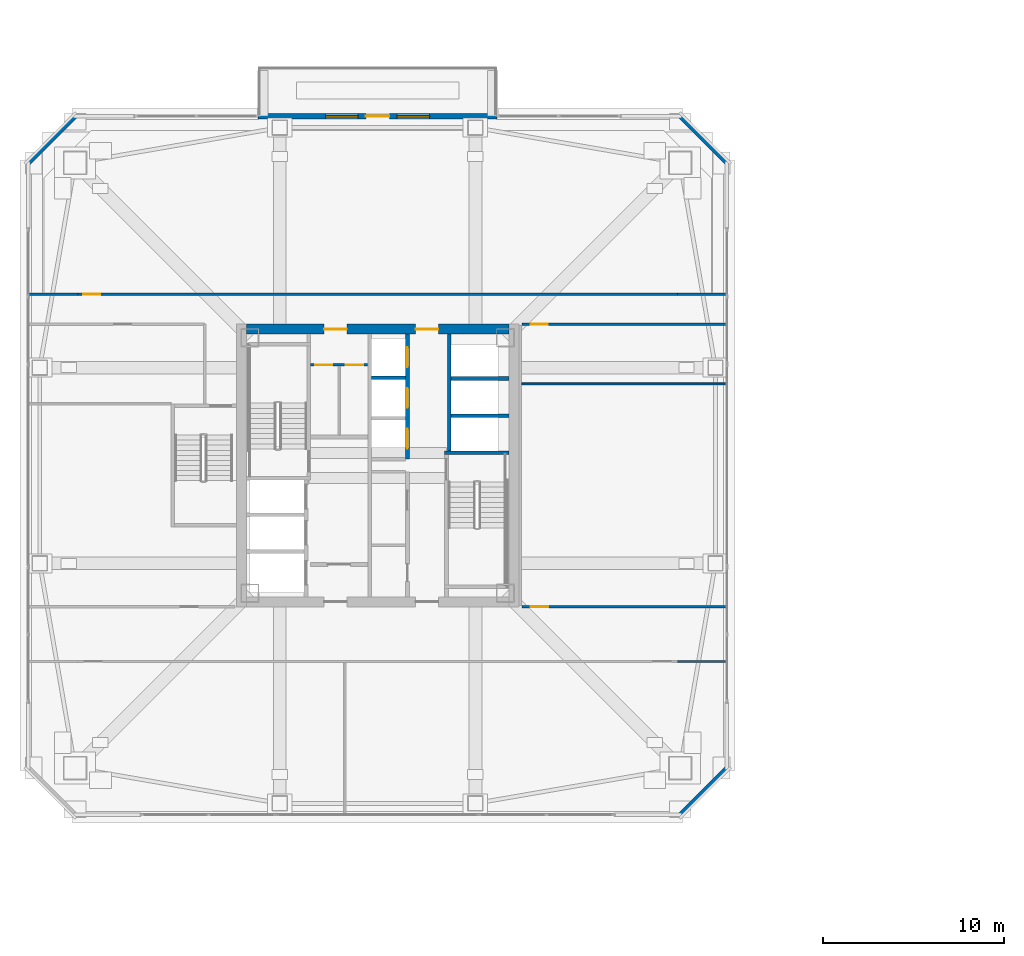
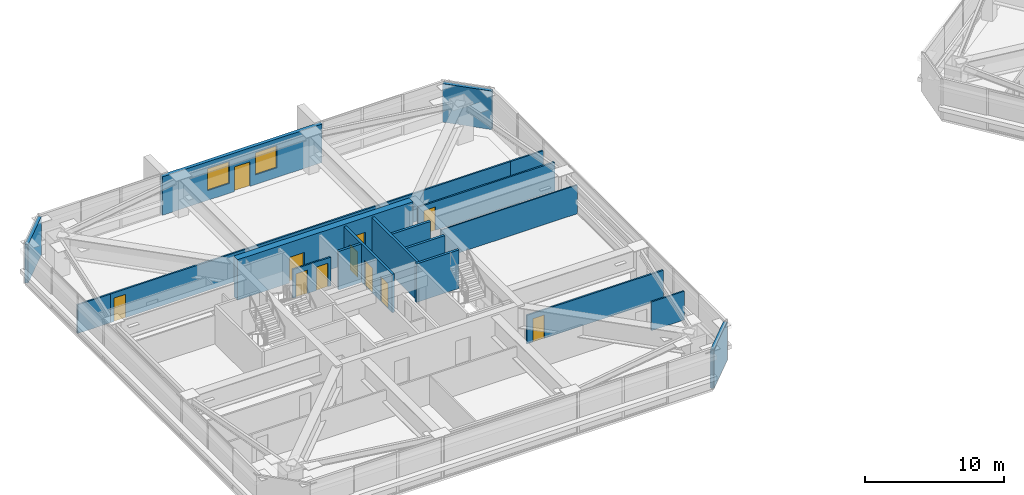
# One storey, part 33 of 42: 19 walls, 11 doors, 2 windows, 13 openings.
"""IFC4 building model written with IfcOpenShell, lengths in metres."""

from ifc_helpers import new_model, si_unit, direction, frame, frame_2d, origin, place, context, subcontext, project, spatial, rectangle, extrude, material, layer, layer_set, type_object, element, fill, save


model = new_model("IFC4")

# Units and contexts
model_context = context("Model", 3, precision=1e-05, world=origin(), true_north=direction((0.0, 1.0)))
body_context = subcontext(model_context, "Body", "Model", "MODEL_VIEW")
ifc_project = project(units=[si_unit("LENGTHUNIT", "METRE"), si_unit("AREAUNIT", "SQUARE_METRE"), si_unit("VOLUMEUNIT", "CUBIC_METRE"), si_unit("PLANEANGLEUNIT", "RADIAN"), si_unit("MASSUNIT", "GRAM", prefix="KILO")], contexts=[model_context])

# Site, building, storey
site_placement = place(None, origin())
site = spatial("IfcSite", under=ifc_project, at=site_placement, CompositionType="ELEMENT")
building_placement = place(site_placement, origin())
building = spatial("IfcBuilding", under=site, at=building_placement, Name="Tashvorn Skyway Center", CompositionType="ELEMENT")
storey_placement = place(building_placement, frame((0.0, 0.0, 153.449951171875)))
storey = spatial("IfcBuildingStorey", under=building, at=storey_placement, Name="L41", CompositionType="ELEMENT", Elevation=153.449951171875)

# Wall, openings, doors
ifc_material_1 = material(Name="Concrete C60/75", Category="concrete")
ifc_layer_1 = layer(ifc_material_1, 0.550048828125)
ifc_layer_set_1 = layer_set([ifc_layer_1], Name="Concrete C60/75")
wall_type_1 = type_object("IfcWallType", Name="WALL-CORE-550", PredefinedType="SHEAR", material=ifc_layer_set_1)
wall_1_placement = place(storey_placement, frame((34.75, 39.52490234375, 0.0), z_axis=(0.0, 0.0, 1.0), x_axis=(1.0, 0.0, 0.0)))
wall_1 = element("IfcWall", 1, at=wall_1_placement, inside=storey, type_object=wall_type_1, Name="Tower 1 L41 North Core Shear Wall", PredefinedType="SHEAR", context=body_context, shape_type="SweptSolid", body=[
    extrude(rectangle(XDim=14.5, YDim=0.550048828125, at=frame_2d((7.25, 0.0))), origin(), (0.0, 0.0, 1.0), 3.550048828125),
])
opening_1_placement = place(wall_1_placement, frame((4.300048828125, 0.0, 0.0)))
opening_1 = element("IfcOpeningElement", 2, at=opening_1_placement, cuts=wall_1, Name="Opening D-FFL-1250", PredefinedType="OPENING", context=body_context, shape_type="SweptSolid", body=[
    extrude(rectangle(XDim=1.25, YDim=2.25, at=frame_2d((0.625, 1.125))), frame((0.0, 0.284912109375, 0.0), z_axis=(0.0, -1.0, 0.0), x_axis=(1.0, 0.0, 0.0)), (0.0, 0.0, 1.0), 0.570068359375),
])
opening_2_placement = place(wall_1_placement, frame((9.35009765625, 0.0, 0.0)))
opening_2 = element("IfcOpeningElement", 3, at=opening_2_placement, cuts=wall_1, Name="Opening D-FFL-1250", PredefinedType="OPENING", context=body_context, shape_type="SweptSolid", body=[
    extrude(rectangle(XDim=1.25, YDim=2.25, at=frame_2d((0.625, 1.125))), frame((0.0, 0.284912109375, 0.0), z_axis=(0.0, -1.0, 0.0), x_axis=(1.0, 0.0, 0.0)), (0.0, 0.0, 1.0), 0.570068359375),
])
ifc_material_2 = material(Name="Hollow galvanized steel fire door assembly", Category="steel")
door_type_1 = type_object("IfcDoorType", Name="DOOR-FFL-1250", OperationType="NOTDEFINED", PredefinedType="DOOR", material=ifc_material_2)
door_1_placement = place(opening_1_placement, origin())
door_1 = element("IfcDoor", 4, at=door_1_placement, inside=storey, type_object=door_type_1, Name="Tower 1 L41 Core North Service Lobby Door", OperationType="SINGLE_SWING_LEFT", OverallHeight=2.25, OverallWidth=1.25, PredefinedType="DOOR", context=body_context, shape_type="SweptSolid", body=[
    extrude(rectangle(XDim=1.25, YDim=2.25, at=frame_2d((0.625, 1.125))), frame((0.0, 0.02490234375, 0.0), z_axis=(0.0, -1.0, 0.0), x_axis=(1.0, 0.0, 0.0)), (0.0, 0.0, 1.0), 0.050048828125),
])
fill(opening_1, door_1)
door_2_placement = place(opening_2_placement, origin())
door_2 = element("IfcDoor", 5, at=door_2_placement, inside=storey, type_object=door_type_1, Name="Tower 1 L41 Core North Lift Lobby Door", OperationType="SINGLE_SWING_RIGHT", OverallHeight=2.25, OverallWidth=1.25, PredefinedType="DOOR", context=body_context, shape_type="SweptSolid", body=[
    extrude(rectangle(XDim=1.25, YDim=2.25, at=frame_2d((0.625, 1.125))), frame((0.0, 0.02490234375, 0.0), z_axis=(0.0, -1.0, 0.0), x_axis=(1.0, 0.0, 0.0)), (0.0, 0.0, 1.0), 0.050048828125),
])
fill(opening_2, door_2)

# Wall, openings, door, windows
ifc_material_3 = material(Name="Precast concrete C40/50", Category="concrete")
ifc_layer_2 = layer(ifc_material_3, 0.280029296875)
ifc_layer_set_2 = layer_set([ifc_layer_2], Name="Precast concrete C40/50")
wall_type_2 = type_object("IfcWallType", Name="WALL-EXT-280", PredefinedType="SOLIDWALL", material=ifc_layer_set_2)
wall_2_placement = place(storey_placement, frame((35.39990234375, 51.280029296875, 0.0), z_axis=(0.0, 0.0, 1.0), x_axis=(1.0, 0.0, 0.0)))
wall_2 = element("IfcWall", 6, at=wall_2_placement, inside=storey, type_object=wall_type_2, Name="Tower 1 L41 North Sky Garden Loggia Wall", PredefinedType="SOLIDWALL", context=body_context, shape_type="SweptSolid", body=[
    extrude(rectangle(XDim=13.2001953125, YDim=0.280029296875, at=frame_2d((6.60009765625, 0.0))), origin(), (0.0, 0.0, 1.0), 3.3701171875),
])
opening_3_placement = place(wall_2_placement, frame((5.949951171875, 0.0, 0.0)))
opening_3 = element("IfcOpeningElement", 7, at=opening_3_placement, cuts=wall_2, Name="Opening D-TER-1300", PredefinedType="OPENING", context=body_context, shape_type="SweptSolid", body=[
    extrude(rectangle(XDim=1.300048828125, YDim=2.14990234375, at=frame_2d((0.64990234375, 1.074951171875))), frame((0.0, 0.14990234375, 0.0), z_axis=(0.0, -1.0, 0.0), x_axis=(1.0, 0.0, 0.0)), (0.0, 0.0, 1.0), 0.300048828125),
])
opening_4_placement = place(wall_2_placement, frame((3.73193359375, 0.0, 0.85009765625)))
opening_4 = element("IfcOpeningElement", 8, at=opening_4_placement, cuts=wall_2, Name="Opening WIN-1800", PredefinedType="OPENING", context=body_context, shape_type="SweptSolid", body=[
    extrude(rectangle(XDim=1.800048828125, YDim=1.919921875, at=frame_2d((0.89990234375, 0.9599609375))), frame((0.0, 0.14990234375, 0.0), z_axis=(0.0, -1.0, 0.0), x_axis=(1.0, 0.0, 0.0)), (0.0, 0.0, 1.0), 0.300048828125),
])
opening_5_placement = place(wall_2_placement, frame((7.66796875, 0.0, 0.85009765625)))
opening_5 = element("IfcOpeningElement", 9, at=opening_5_placement, cuts=wall_2, Name="Opening WIN-1800", PredefinedType="OPENING", context=body_context, shape_type="SweptSolid", body=[
    extrude(rectangle(XDim=1.800048828125, YDim=1.919921875, at=frame_2d((0.89990234375, 0.9599609375))), frame((0.0, 0.14990234375, 0.0), z_axis=(0.0, -1.0, 0.0), x_axis=(1.0, 0.0, 0.0)), (0.0, 0.0, 1.0), 0.300048828125),
])
ifc_material_4 = material(Name="Thermally broken bronze-anodized aluminium 6063-T6", Category="aluminium")
door_type_2 = type_object("IfcDoorType", Name="DOOR-TERR-1300", OperationType="NOTDEFINED", PredefinedType="DOOR", material=ifc_material_4)
door_3_placement = place(opening_3_placement, origin())
door_3 = element("IfcDoor", 10, at=door_3_placement, inside=storey, type_object=door_type_2, Name="Tower 1 L41 Sky Garden Access Door", OperationType="SINGLE_SWING_LEFT", OverallHeight=2.14990234375, OverallWidth=1.300048828125, PredefinedType="DOOR", context=body_context, shape_type="SweptSolid", body=[
    extrude(rectangle(XDim=1.300048828125, YDim=2.14990234375, at=frame_2d((0.64990234375, 1.074951171875))), frame((0.0, 0.02490234375, 0.0), z_axis=(0.0, -1.0, 0.0), x_axis=(1.0, 0.0, 0.0)), (0.0, 0.0, 1.0), 0.050048828125),
])
fill(opening_3, door_3)
ifc_material_5 = material(Name="Low-E solar-control double insulating safety glass", Category="glass")
window_type = type_object("IfcWindowType", Name="WIN-TERR-1800", PartitioningType="SINGLE_PANEL", PredefinedType="WINDOW", material=ifc_material_5)
window_1_placement = place(opening_4_placement, origin())
window_1 = element("IfcWindow", 11, at=window_1_placement, inside=storey, type_object=window_type, Name="Tower 1 L41 Sky Garden Window", OverallHeight=1.919921875, OverallWidth=1.800048828125, PartitioningType="SINGLE_PANEL", PredefinedType="WINDOW", context=body_context, shape_type="SweptSolid", body=[
    extrude(rectangle(XDim=1.800048828125, YDim=1.919921875, at=frame_2d((0.89990234375, 0.9599609375))), frame((0.0, 0.030029296875, 0.0), z_axis=(0.0, -1.0, 0.0), x_axis=(1.0, 0.0, 0.0)), (0.0, 0.0, 1.0), 0.06005859375),
])
fill(opening_4, window_1)
window_2_placement = place(opening_5_placement, origin())
window_2 = element("IfcWindow", 12, at=window_2_placement, inside=storey, type_object=window_type, Name="Tower 1 L41 Sky Garden Second Window", OverallHeight=1.919921875, OverallWidth=1.800048828125, PartitioningType="SINGLE_PANEL", PredefinedType="WINDOW", context=body_context, shape_type="SweptSolid", body=[
    extrude(rectangle(XDim=1.800048828125, YDim=1.919921875, at=frame_2d((0.89990234375, 0.9599609375))), frame((0.0, 0.030029296875, 0.0), z_axis=(0.0, -1.0, 0.0), x_axis=(1.0, 0.0, 0.0)), (0.0, 0.0, 1.0), 0.06005859375),
])
fill(opening_5, window_2)

# Walls
for number, where, z_axis, x_axis, name in (
    (13, (22.699951171875, 48.699951171875, 0.0), (0.0, 0.0, 1.0), (0.707106781187, 0.707106781187, 0.0), "Tower 1 L41 NW Precast Chamfer Wall"),
    (14, (58.699951171875, 51.300048828125, 0.0), (0.0, 0.0, 1.0), (0.707106781187, -0.707106781187, 0.0), "Tower 1 L41 NE Precast Chamfer Wall"),
    (15, (61.300048828125, 15.300048828125, 0.0), (0.0, 0.0, 1.0), (-0.707106781187, -0.707106781187, 0.0), "Tower 1 L41 SE Precast Chamfer Wall"),
):
    element("IfcWall", number, at=place(storey_placement, frame(where, z_axis=z_axis, x_axis=x_axis)), inside=storey, type_object=wall_type_2, Name=name, PredefinedType="SOLIDWALL", context=body_context, shape_type="SweptSolid", body=[
        extrude(rectangle(XDim=3.677001953125, YDim=0.280029296875, at=frame_2d((1.83837890625, 0.0))), origin(), (0.0, 0.0, 1.0), 3.3701171875),
    ])
ifc_material_6 = material(Name="Gypsum board on cold-formed steel stud framing", Category="steel")
ifc_layer_3 = layer(ifc_material_6, 0.110107421875)
ifc_layer_set_3 = layer_set([ifc_layer_3], Name="Gypsum board on cold-formed steel stud framing")
wall_type_3 = type_object("IfcWallType", Name="WALL-PART-110", PredefinedType="PARTITIONING", material=ifc_layer_set_3)
wall_3_placement = place(storey_placement, frame((49.9599609375, 36.5, 0.0), z_axis=(0.0, 0.0, 1.0), x_axis=(1.0, 0.0, 0.0)))
element("IfcWall", 16, at=wall_3_placement, inside=storey, type_object=wall_type_3, Name="Tower 1 L41 East Mid Partition", PredefinedType="PARTITIONING", context=body_context, shape_type="SweptSolid", body=[
    extrude(rectangle(XDim=11.320068359375, YDim=0.110107421875, at=frame_2d((5.66015625, 0.0))), origin(), (0.0, 0.0, 1.0), 2.512939453125),
])

# Wall, opening, door
ifc_layer_4 = layer(ifc_material_6, 0.135009765625)
ifc_layer_set_4 = layer_set([ifc_layer_4], Name="Gypsum board on cold-formed steel stud framing")
wall_type_4 = type_object("IfcWallType", Name="WALL-PART-135", PredefinedType="PARTITIONING", material=ifc_layer_set_4)
wall_4_placement = place(storey_placement, frame((25.449951171875, 41.449951171875, 0.0), z_axis=(0.0, 0.0, 1.0), x_axis=(1.0, 0.0, 0.0)))
wall_4 = element("IfcWall", 17, at=wall_4_placement, inside=storey, type_object=wall_type_4, Name="Tower 1 L41 North Suite Wall", PredefinedType="PARTITIONING", context=body_context, shape_type="SweptSolid", body=[
    extrude(rectangle(XDim=33.10009765625, YDim=0.135009765625, at=frame_2d((16.550048828125, 0.0))), origin(), (0.0, 0.0, 1.0), 2.512939453125),
])
opening_6_placement = place(wall_4_placement, frame((0.300048828125, 0.0, 0.0)))
opening_6 = element("IfcOpeningElement", 18, at=opening_6_placement, cuts=wall_4, Name="Opening D-INT-950", PredefinedType="OPENING", context=body_context, shape_type="SweptSolid", body=[
    extrude(rectangle(XDim=0.949951171875, YDim=2.050048828125, at=frame_2d((0.47509765625, 1.02490234375))), frame((0.0, 0.077392578125, 0.0), z_axis=(0.0, -1.0, 0.0), x_axis=(1.0, 0.0, 0.0)), (0.0, 0.0, 1.0), 0.155029296875),
])
ifc_material_7 = material(Name="Solid-core architectural oak veneer door")
door_type_3 = type_object("IfcDoorType", Name="DOOR-INT-950", OperationType="NOTDEFINED", PredefinedType="DOOR", material=ifc_material_7)
door_4_placement = place(opening_6_placement, origin())
door_4 = element("IfcDoor", 19, at=door_4_placement, inside=storey, type_object=door_type_3, Name="Tower 1 L41 Executive Suite Door", OperationType="SINGLE_SWING_RIGHT", OverallHeight=2.050048828125, OverallWidth=0.949951171875, PredefinedType="DOOR", context=body_context, shape_type="SweptSolid", body=[
    extrude(rectangle(XDim=0.949951171875, YDim=2.050048828125, at=frame_2d((0.47509765625, 1.02490234375))), frame((0.0, 0.02490234375, 0.0), z_axis=(0.0, -1.0, 0.0), x_axis=(1.0, 0.0, 0.0)), (0.0, 0.0, 1.0), 0.050048828125),
])
fill(opening_6, door_4)

# Walls
for number, where, z_axis, x_axis, name in (
    (20, (22.719970703125, 41.449951171875, 0.0), (0.0, 0.0, 1.0), (1.0, 0.0, 0.0), "Tower 1 L41 North-West Suite South Wall"),
    (21, (58.550048828125, 41.449951171875, 0.0), (0.0, 0.0, 1.0), (1.0, 0.0, 0.0), "Tower 1 L41 North-East Suite South Wall"),
    (22, (58.550048828125, 21.179931640625, 0.0), (0.0, 0.0, 1.0), (1.0, 0.0, 0.0), "Tower 1 L41 South-East Suite North Wall"),
):
    element("IfcWall", number, at=place(storey_placement, frame(where, z_axis=z_axis, x_axis=x_axis)), inside=storey, type_object=wall_type_4, Name=name, PredefinedType="PARTITIONING", context=body_context, shape_type="SweptSolid", body=[
        extrude(rectangle(XDim=2.72998046875, YDim=0.135009765625, at=frame_2d((1.364990234375, 0.0))), origin(), (0.0, 0.0, 1.0), 2.512939453125),
    ])

# Wall, opening, door
wall_5_placement = place(storey_placement, frame((61.280029296875, 39.800048828125, 0.0), z_axis=(0.0, 0.0, 1.0), x_axis=(-1.0, 0.0, 0.0)))
wall_5 = element("IfcWall", 23, at=wall_5_placement, inside=storey, type_object=wall_type_4, Name="Tower 1 L41 East Suite North Wall", PredefinedType="PARTITIONING", context=body_context, shape_type="SweptSolid", body=[
    extrude(rectangle(XDim=11.320068359375, YDim=0.135009765625, at=frame_2d((5.66015625, 0.0))), origin(), (0.0, 0.0, 1.0), 2.512939453125),
])
opening_7_placement = place(wall_5_placement, frame((9.8798828125, 0.0, 0.0)))
opening_7 = element("IfcOpeningElement", 24, at=opening_7_placement, cuts=wall_5, Name="Opening D-INT-950", PredefinedType="OPENING", context=body_context, shape_type="SweptSolid", body=[
    extrude(rectangle(XDim=0.949951171875, YDim=2.050048828125, at=frame_2d((0.47509765625, 1.02490234375))), frame((0.0, 0.077392578125, 0.0), z_axis=(0.0, -1.0, 0.0), x_axis=(1.0, 0.0, 0.0)), (0.0, 0.0, 1.0), 0.155029296875),
])
door_5_placement = place(opening_7_placement, origin())
door_5 = element("IfcDoor", 25, at=door_5_placement, inside=storey, type_object=door_type_3, Name="Tower 1 L41 Executive Suite Door", OperationType="SINGLE_SWING_LEFT", OverallHeight=2.050048828125, OverallWidth=0.949951171875, PredefinedType="DOOR", context=body_context, shape_type="SweptSolid", body=[
    extrude(rectangle(XDim=0.949951171875, YDim=2.050048828125, at=frame_2d((0.47509765625, 1.02490234375))), frame((0.0, 0.02490234375, 0.0), z_axis=(0.0, -1.0, 0.0), x_axis=(1.0, 0.0, 0.0)), (0.0, 0.0, 1.0), 0.050048828125),
])
fill(opening_7, door_5)

wall_6_placement = place(storey_placement, frame((49.9599609375, 24.199951171875, 0.0), z_axis=(0.0, 0.0, 1.0), x_axis=(1.0, 0.0, 0.0)))
wall_6 = element("IfcWall", 26, at=wall_6_placement, inside=storey, type_object=wall_type_4, Name="Tower 1 L41 East Suite South Wall", PredefinedType="PARTITIONING", context=body_context, shape_type="SweptSolid", body=[
    extrude(rectangle(XDim=11.320068359375, YDim=0.135009765625, at=frame_2d((5.66015625, 0.0))), origin(), (0.0, 0.0, 1.0), 2.512939453125),
])
opening_8_placement = place(wall_6_placement, frame((0.5, 0.0, 0.0)))
opening_8 = element("IfcOpeningElement", 27, at=opening_8_placement, cuts=wall_6, Name="Opening D-INT-950", PredefinedType="OPENING", context=body_context, shape_type="SweptSolid", body=[
    extrude(rectangle(XDim=0.949951171875, YDim=2.050048828125, at=frame_2d((0.47509765625, 1.02490234375))), frame((0.0, 0.077392578125, 0.0), z_axis=(0.0, -1.0, 0.0), x_axis=(1.0, 0.0, 0.0)), (0.0, 0.0, 1.0), 0.155029296875),
])
door_6_placement = place(opening_8_placement, origin())
door_6 = element("IfcDoor", 28, at=door_6_placement, inside=storey, type_object=door_type_3, Name="Tower 1 L41 Public Restroom Door", OperationType="SINGLE_SWING_RIGHT", OverallHeight=2.050048828125, OverallWidth=0.949951171875, PredefinedType="DOOR", context=body_context, shape_type="SweptSolid", body=[
    extrude(rectangle(XDim=0.949951171875, YDim=2.050048828125, at=frame_2d((0.47509765625, 1.02490234375))), frame((0.0, 0.02490234375, 0.0), z_axis=(0.0, -1.0, 0.0), x_axis=(1.0, 0.0, 0.0)), (0.0, 0.0, 1.0), 0.050048828125),
])
fill(opening_8, door_6)

# Wall, openings, doors
ifc_layer_5 = layer(ifc_material_6, 0.135009765625)
ifc_layer_set_5 = layer_set([ifc_layer_5], Name="Gypsum board on cold-formed steel stud framing")
wall_type_5 = type_object("IfcWallType", Name="WALL-RATED-135", PredefinedType="PARTITIONING", material=ifc_layer_set_5)
wall_7_placement = place(storey_placement, frame((38.300048828125, 37.550048828125, 0.0), z_axis=(0.0, 0.0, 1.0), x_axis=(1.0, 0.0, 0.0)))
wall_7 = element("IfcWall", 29, at=wall_7_placement, inside=storey, type_object=wall_type_5, Name="Tower 1 L41 Core Service Lobby Wall", PredefinedType="PARTITIONING", context=body_context, shape_type="SweptSolid", body=[
    extrude(rectangle(XDim=3.14990234375, YDim=0.135009765625, at=frame_2d((1.574951171875, 0.0))), origin(), (0.0, 0.0, 1.0), 2.512939453125),
])
opening_9_placement = place(wall_7_placement, frame((0.25, 0.0, 0.0)))
opening_9 = element("IfcOpeningElement", 30, at=opening_9_placement, cuts=wall_7, Name="Opening D-RT-950", PredefinedType="OPENING", context=body_context, shape_type="SweptSolid", body=[
    extrude(rectangle(XDim=0.949951171875, YDim=2.050048828125, at=frame_2d((0.47509765625, 1.02490234375))), frame((0.0, 0.077392578125, 0.0), z_axis=(0.0, -1.0, 0.0), x_axis=(1.0, 0.0, 0.0)), (0.0, 0.0, 1.0), 0.155029296875),
])
opening_10_placement = place(wall_7_placement, frame((1.949951171875, 0.0, 0.0)))
opening_10 = element("IfcOpeningElement", 31, at=opening_10_placement, cuts=wall_7, Name="Opening D-RT-950", PredefinedType="OPENING", context=body_context, shape_type="SweptSolid", body=[
    extrude(rectangle(XDim=0.949951171875, YDim=2.050048828125, at=frame_2d((0.47509765625, 1.02490234375))), frame((0.0, 0.077392578125, 0.0), z_axis=(0.0, -1.0, 0.0), x_axis=(1.0, 0.0, 0.0)), (0.0, 0.0, 1.0), 0.155029296875),
])
door_type_4 = type_object("IfcDoorType", Name="DOOR-RATED-950", OperationType="NOTDEFINED", PredefinedType="DOOR", material=ifc_material_2)
door_7_placement = place(opening_9_placement, origin())
door_7 = element("IfcDoor", 32, at=door_7_placement, inside=storey, type_object=door_type_4, Name="Tower 1 L41 Core Accessible WC Door", OperationType="SINGLE_SWING_LEFT", OverallHeight=2.050048828125, OverallWidth=0.949951171875, PredefinedType="DOOR", context=body_context, shape_type="SweptSolid", body=[
    extrude(rectangle(XDim=0.949951171875, YDim=2.050048828125, at=frame_2d((0.47509765625, 1.02490234375))), frame((0.0, 0.02490234375, 0.0), z_axis=(0.0, -1.0, 0.0), x_axis=(1.0, 0.0, 0.0)), (0.0, 0.0, 1.0), 0.050048828125),
])
fill(opening_9, door_7)
door_8_placement = place(opening_10_placement, origin())
door_8 = element("IfcDoor", 33, at=door_8_placement, inside=storey, type_object=door_type_4, Name="Tower 1 L41 Core Cleaner Store Door", OperationType="SINGLE_SWING_RIGHT", OverallHeight=2.050048828125, OverallWidth=0.949951171875, PredefinedType="DOOR", context=body_context, shape_type="SweptSolid", body=[
    extrude(rectangle(XDim=0.949951171875, YDim=2.050048828125, at=frame_2d((0.47509765625, 1.02490234375))), frame((0.0, 0.02490234375, 0.0), z_axis=(0.0, -1.0, 0.0), x_axis=(1.0, 0.0, 0.0)), (0.0, 0.0, 1.0), 0.050048828125),
])
fill(opening_10, door_8)

# Walls
ifc_material_8 = material(Name="Concrete C40/50", Category="concrete")
ifc_layer_6 = layer(ifc_material_8, 0.199951171875)
ifc_layer_set_6 = layer_set([ifc_layer_6], Name="Concrete C40/50")
wall_type_6 = type_object("IfcWallType", Name="WALL-SHAFT-200", PredefinedType="SOLIDWALL", material=ifc_layer_set_6)
for number, where, z_axis, x_axis, name in (
    (34, (46.050048828125, 34.75, 0.0), (0.0, 0.0, 1.0), (1.0, 0.0, 0.0), "Tower 1 L41 High-Rise Shaft Divider"),
    (35, (46.050048828125, 36.800048828125, 0.0), (0.0, 0.0, 1.0), (1.0, 0.0, 0.0), "Tower 1 L41 High-Rise Shaft Divider"),
):
    element("IfcWall", number, at=place(storey_placement, frame(where, z_axis=z_axis, x_axis=x_axis)), inside=storey, type_object=wall_type_6, Name=name, PredefinedType="SOLIDWALL", context=body_context, shape_type="SweptSolid", body=[
        extrude(rectangle(XDim=3.199951171875, YDim=0.199951171875, at=frame_2d((1.60009765625, 0.0))), origin(), (0.0, 0.0, 1.0), 3.3701171875),
    ])

# Wall, openings, doors
wall_8_placement = place(storey_placement, frame((43.64990234375, 32.35009765625, 0.0), z_axis=(0.0, 0.0, 1.0), x_axis=(0.0, 1.0, 0.0)))
wall_8 = element("IfcWall", 36, at=wall_8_placement, inside=storey, type_object=wall_type_6, Name="Tower 1 L41 Mid-Rise Core Wall", PredefinedType="SOLIDWALL", context=body_context, shape_type="SweptSolid", body=[
    extrude(rectangle(XDim=6.89990234375, YDim=0.199951171875, at=frame_2d((3.449951171875, 0.0))), origin(), (0.0, 0.0, 1.0), 3.3701171875),
])
opening_11_placement = place(wall_8_placement, frame((0.574951171875, 0.0, 0.0)))
opening_11 = element("IfcOpeningElement", 37, at=opening_11_placement, cuts=wall_8, Name="Opening LD-MR-T1-1-L41", PredefinedType="OPENING", context=body_context, shape_type="SweptSolid", body=[
    extrude(rectangle(XDim=1.10009765625, YDim=2.199951171875, at=frame_2d((0.550048828125, 1.10009765625))), frame((0.0, 0.10986328125, 0.0), z_axis=(0.0, -1.0, 0.0), x_axis=(1.0, 0.0, 0.0)), (0.0, 0.0, 1.0), 0.219970703125),
])
opening_12_placement = place(wall_8_placement, frame((2.824951171875, 0.0, 0.0)))
opening_12 = element("IfcOpeningElement", 38, at=opening_12_placement, cuts=wall_8, Name="Opening LD-MR-T1-2-L41", PredefinedType="OPENING", context=body_context, shape_type="SweptSolid", body=[
    extrude(rectangle(XDim=1.10009765625, YDim=2.199951171875, at=frame_2d((0.550048828125, 1.10009765625))), frame((0.0, 0.10986328125, 0.0), z_axis=(0.0, -1.0, 0.0), x_axis=(1.0, 0.0, 0.0)), (0.0, 0.0, 1.0), 0.219970703125),
])
opening_13_placement = place(wall_8_placement, frame((5.074951171875, 0.0, 0.0)))
opening_13 = element("IfcOpeningElement", 39, at=opening_13_placement, cuts=wall_8, Name="Opening LD-MR-T1-3-L41", PredefinedType="OPENING", context=body_context, shape_type="SweptSolid", body=[
    extrude(rectangle(XDim=1.10009765625, YDim=2.199951171875, at=frame_2d((0.550048828125, 1.10009765625))), frame((0.0, 0.10986328125, 0.0), z_axis=(0.0, -1.0, 0.0), x_axis=(1.0, 0.0, 0.0)), (0.0, 0.0, 1.0), 0.219970703125),
])
ifc_material_9 = material(Name="Stainless steel landing door", Category="steel")
door_type_5 = type_object("IfcDoorType", Name="DOOR-LIFT-1100", OperationType="SLIDING_TO_LEFT", PredefinedType="DOOR", material=ifc_material_9)
door_9_placement = place(opening_11_placement, origin())
door_9 = element("IfcDoor", 40, at=door_9_placement, inside=storey, type_object=door_type_5, Name="Lift MR-T1-1 L41 Landing Door", OperationType="SLIDING_TO_LEFT", OverallHeight=2.199951171875, OverallWidth=1.10009765625, PredefinedType="DOOR", context=body_context, shape_type="SweptSolid", body=[
    extrude(rectangle(XDim=1.10009765625, YDim=2.199951171875, at=frame_2d((0.550048828125, 1.10009765625))), frame((0.0, 0.02490234375, 0.0), z_axis=(0.0, -1.0, 0.0), x_axis=(1.0, 0.0, 0.0)), (0.0, 0.0, 1.0), 0.050048828125),
])
fill(opening_11, door_9)
door_10_placement = place(opening_12_placement, origin())
door_10 = element("IfcDoor", 41, at=door_10_placement, inside=storey, type_object=door_type_5, Name="Lift MR-T1-2 L41 Landing Door", OperationType="SLIDING_TO_LEFT", OverallHeight=2.199951171875, OverallWidth=1.10009765625, PredefinedType="DOOR", context=body_context, shape_type="SweptSolid", body=[
    extrude(rectangle(XDim=1.10009765625, YDim=2.199951171875, at=frame_2d((0.550048828125, 1.10009765625))), frame((0.0, 0.02490234375, 0.0), z_axis=(0.0, -1.0, 0.0), x_axis=(1.0, 0.0, 0.0)), (0.0, 0.0, 1.0), 0.050048828125),
])
fill(opening_12, door_10)
door_11_placement = place(opening_13_placement, origin())
door_11 = element("IfcDoor", 42, at=door_11_placement, inside=storey, type_object=door_type_5, Name="Lift MR-T1-3 L41 Landing Door", OperationType="SLIDING_TO_LEFT", OverallHeight=2.199951171875, OverallWidth=1.10009765625, PredefinedType="DOOR", context=body_context, shape_type="SweptSolid", body=[
    extrude(rectangle(XDim=1.10009765625, YDim=2.199951171875, at=frame_2d((0.550048828125, 1.10009765625))), frame((0.0, 0.02490234375, 0.0), z_axis=(0.0, -1.0, 0.0), x_axis=(1.0, 0.0, 0.0)), (0.0, 0.0, 1.0), 0.050048828125),
])
fill(opening_13, door_11)

# Walls
wall_9_placement = place(storey_placement, frame((41.669921875, 36.85009765625, 0.0), z_axis=(0.0, 0.0, 1.0), x_axis=(1.0, 0.0, 0.0)))
element("IfcWall", 43, at=wall_9_placement, inside=storey, type_object=wall_type_6, Name="Tower 1 L41 Mid-Rise Shaft Divider", PredefinedType="SOLIDWALL", context=body_context, shape_type="SweptSolid", body=[
    extrude(rectangle(XDim=1.880126953125, YDim=0.199951171875, at=frame_2d((0.93994140625, 0.0))), origin(), (0.0, 0.0, 1.0), 3.3701171875),
])
ifc_layer_7 = layer(ifc_material_8, 0.199951171875)
ifc_layer_set_7 = layer_set([ifc_layer_7], Name="Concrete C40/50")
wall_type_7 = type_object("IfcWallType", Name="WALL-STSHF-200", PredefinedType="SHEAR", material=ifc_layer_set_7)
wall_10_placement = place(storey_placement, frame((45.699951171875, 32.699951171875, 0.0), z_axis=(0.0, 0.0, 1.0), x_axis=(1.0, 0.0, 0.0)))
element("IfcWall", 44, at=wall_10_placement, inside=storey, type_object=wall_type_7, Name="Tower 1 L41 Stair 2 North Wall", PredefinedType="SHEAR", context=body_context, shape_type="SweptSolid", body=[
    extrude(rectangle(XDim=3.550048828125, YDim=0.199951171875, at=frame_2d((1.77490234375, 0.0))), origin(), (0.0, 0.0, 1.0), 3.3701171875),
])
wall_11_placement = place(storey_placement, frame((45.949951171875, 39.25, 0.0), z_axis=(0.0, 0.0, 1.0), x_axis=(0.0, -1.0, 0.0)))
element("IfcWall", 45, at=wall_11_placement, inside=storey, type_object=wall_type_7, Name="Tower 1 L41 High-Rise Lift Shaft Front Wall", PredefinedType="SHEAR", context=body_context, shape_type="SweptSolid", body=[
    extrude(rectangle(XDim=6.449951171875, YDim=0.199951171875, at=frame_2d((3.22509765625, 0.0))), origin(), (0.0, 0.0, 1.0), 3.3701171875),
])

save(model, "model.ifc")
